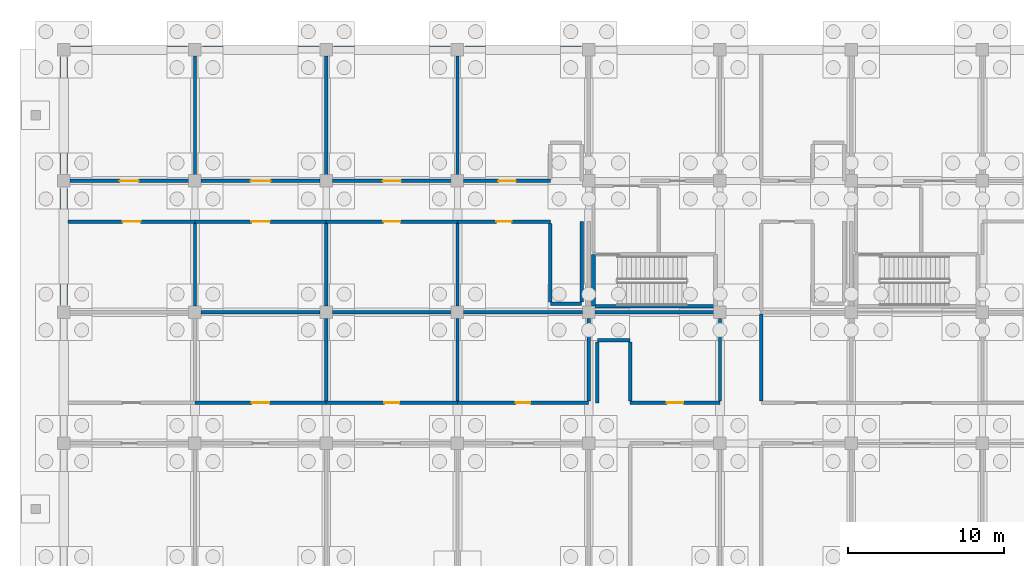
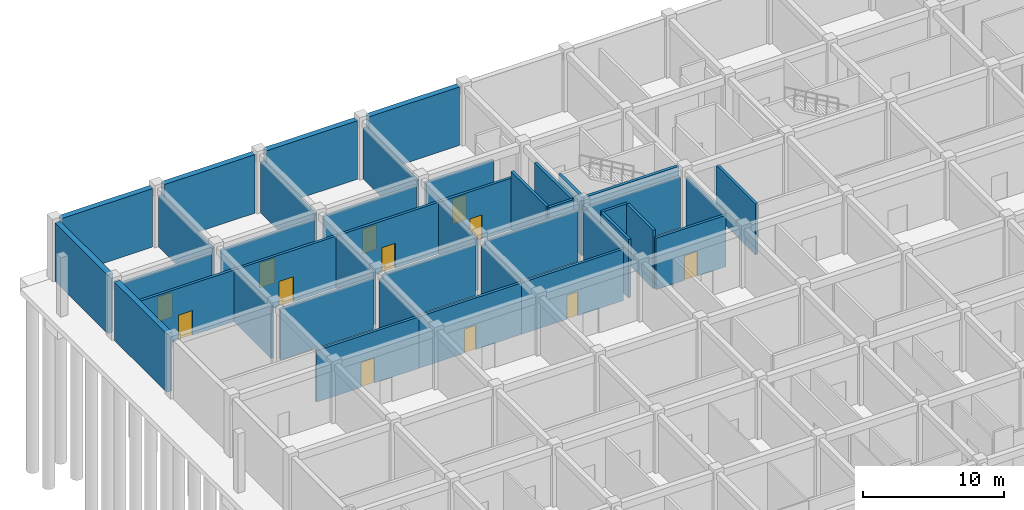
# One storey, part 39 of 65: 41 walls, 12 doors, 12 openings.
"""IFC4 building model written with IfcOpenShell, lengths in metres."""

from ifc_helpers import new_model, si_unit, direction, frame, frame_2d, origin, place, context, subcontext, project, spatial, rectangle, extrude, material, layer, layer_set, type_object, element, fill, save


model = new_model("IFC4")

# Units and contexts
model_context = context("Model", 3, precision=1e-05, world=origin(), true_north=direction((0.0, 1.0)))
body_context = subcontext(model_context, "Body", "Model", "MODEL_VIEW")
ifc_project = project(units=[si_unit("LENGTHUNIT", "METRE"), si_unit("AREAUNIT", "SQUARE_METRE"), si_unit("VOLUMEUNIT", "CUBIC_METRE"), si_unit("PLANEANGLEUNIT", "RADIAN"), si_unit("MASSUNIT", "GRAM", prefix="KILO")], contexts=[model_context])

# Site, building, storey
site_placement = place(None, origin())
site = spatial("IfcSite", under=ifc_project, at=site_placement, CompositionType="ELEMENT")
building_placement = place(site_placement, origin())
building = spatial("IfcBuilding", under=site, at=building_placement, Name="Bramfleet General Hospital", CompositionType="ELEMENT")
storey_placement = place(building_placement, frame((0.0, 0.0, -5.39990234375)))
storey = spatial("IfcBuildingStorey", under=building, at=storey_placement, Name="B1", CompositionType="ELEMENT", Elevation=-5.39990234375)

# Walls
ifc_material_1 = material(Name="Concrete C35/45", Category="concrete")
ifc_layer_1 = layer(ifc_material_1, 0.449951171875, Name="WT-EW-01")
ifc_layer_set_1 = layer_set([ifc_layer_1], Name="Concrete C35/45")
wall_type_1 = type_object("IfcWallType", Name="WT-EW-01", PredefinedType="SOLIDWALL", material=ifc_layer_set_1)
wall_1_placement = place(storey_placement, frame((0.0, 101.27490234375, 0.0), z_axis=(0.0, 0.0, 1.0), x_axis=(0.0, 1.0, 0.0)))
element("IfcWall", 1, at=wall_1_placement, inside=storey, type_object=wall_type_1, Name="B1 Waterproof Retaining Wall 6", PredefinedType="SOLIDWALL", context=body_context, shape_type="SweptSolid", body=[
    extrude(rectangle(XDim=7.4501953125, YDim=0.449951171875, at=frame_2d((3.72509765625, 0.0))), origin(), (0.0, 0.0, 1.0), 5.079833984375),
])
for number, where, z_axis, x_axis, name in (
    (2, (0.0, 109.675048828125, 0.0), (0.0, 0.0, 1.0), (0.0, 1.0, 0.0), "B1 Waterproof Retaining Wall 7"),
    (3, (0.47509765625, 117.60009765625, 0.0), (0.0, 0.0, 1.0), (1.0, 0.0, 0.0), "B1 Waterproof Retaining Wall 8"),
    (4, (8.875, 117.60009765625, 0.0), (0.0, 0.0, 1.0), (1.0, 0.0, 0.0), "B1 Waterproof Retaining Wall 9"),
):
    element("IfcWall", number, at=place(storey_placement, frame(where, z_axis=z_axis, x_axis=x_axis)), inside=storey, type_object=wall_type_1, Name=name, PredefinedType="SOLIDWALL", context=body_context, shape_type="SweptSolid", body=[
        extrude(rectangle(XDim=7.449951171875, YDim=0.449951171875, at=frame_2d((3.72509765625, 0.0))), origin(), (0.0, 0.0, 1.0), 5.079833984375),
    ])
wall_2_placement = place(storey_placement, frame((17.27490234375, 117.60009765625, 0.0), z_axis=(0.0, 0.0, 1.0), x_axis=(1.0, 0.0, 0.0)))
element("IfcWall", 5, at=wall_2_placement, inside=storey, type_object=wall_type_1, Name="B1 Waterproof Retaining Wall 10", PredefinedType="SOLIDWALL", context=body_context, shape_type="SweptSolid", body=[
    extrude(rectangle(XDim=7.4501953125, YDim=0.449951171875, at=frame_2d((3.72509765625, 0.0))), origin(), (0.0, 0.0, 1.0), 5.079833984375),
])
wall_3_placement = place(storey_placement, frame((25.675048828125, 117.60009765625, 0.0), z_axis=(0.0, 0.0, 1.0), x_axis=(1.0, 0.0, 0.0)))
element("IfcWall", 6, at=wall_3_placement, inside=storey, type_object=wall_type_1, Name="B1 Waterproof Retaining Wall 11", PredefinedType="SOLIDWALL", context=body_context, shape_type="SweptSolid", body=[
    extrude(rectangle(XDim=7.449951171875, YDim=0.449951171875, at=frame_2d((3.72509765625, 0.0))), origin(), (0.0, 0.0, 1.0), 5.079833984375),
])

# Wall, opening, door
ifc_layer_2 = layer(ifc_material_1, 0.219970703125, Name="WT-IW-01")
ifc_layer_set_2 = layer_set([ifc_layer_2], Name="Concrete C35/45")
wall_type_2 = type_object("IfcWallType", Name="WT-IW-01", PredefinedType="PARTITIONING", material=ifc_layer_set_2)
wall_4_placement = place(storey_placement, frame((8.39990234375, 95.0, 0.0), z_axis=(0.0, 0.0, 1.0), x_axis=(1.0, 0.0, 0.0)))
wall_4 = element("IfcWall", 7, at=wall_4_placement, inside=storey, type_object=wall_type_2, Name="B1 Interior Partition IW-B1-0274", PredefinedType="PARTITIONING", context=body_context, shape_type="SweptSolid", body=[
    extrude(rectangle(XDim=8.400146484375, YDim=0.219970703125, at=frame_2d((4.2001953125, 0.0))), origin(), (0.0, 0.0, 1.0), 4.469970703125),
])
opening_1_placement = place(wall_4_placement, frame((3.639892578125, 0.0, 0.0)))
opening_1 = element("IfcOpeningElement", 8, at=opening_1_placement, cuts=wall_4, Name="Opening D0219", PredefinedType="OPENING", context=body_context, shape_type="SweptSolid", body=[
    extrude(rectangle(XDim=1.1201171875, YDim=2.179931640625, at=frame_2d((0.56005859375, 1.08984375))), frame((0.0, 0.119873046875, 0.0), z_axis=(0.0, -1.0, 0.0), x_axis=(1.0, 0.0, 0.0)), (0.0, 0.0, 1.0), 0.239990234375),
])
ifc_material_2 = material(Name="Stainless steel and acoustic timber leaf", Category="steel")
door_type_1 = type_object("IfcDoorType", Name="DR-D-27", OperationType="NOTDEFINED", PredefinedType="DOOR", material=ifc_material_2)
door_1_placement = place(opening_1_placement, origin())
door_1 = element("IfcDoor", 9, at=door_1_placement, inside=storey, type_object=door_type_1, Name="Chiller and District Heating Plant B1-0111 Door D0219", OperationType="SINGLE_SWING_RIGHT", OverallHeight=2.179931640625, OverallWidth=1.1201171875, PredefinedType="DOOR", context=body_context, shape_type="SweptSolid", body=[
    extrude(rectangle(XDim=1.1201171875, YDim=2.179931640625, at=frame_2d((0.56005859375, 1.08984375))), frame((0.0, 0.02490234375, 0.0), z_axis=(0.0, -1.0, 0.0), x_axis=(1.0, 0.0, 0.0)), (0.0, 0.0, 1.0), 0.050048828125),
])
fill(opening_1, door_1)

wall_5_placement = place(storey_placement, frame((16.800048828125, 95.0, 0.0), z_axis=(0.0, 0.0, 1.0), x_axis=(1.0, 0.0, 0.0)))
wall_5 = element("IfcWall", 10, at=wall_5_placement, inside=storey, type_object=wall_type_2, Name="B1 Interior Partition IW-B1-0275", PredefinedType="PARTITIONING", context=body_context, shape_type="SweptSolid", body=[
    extrude(rectangle(XDim=8.39990234375, YDim=0.219970703125, at=frame_2d((4.199951171875, 0.0))), origin(), (0.0, 0.0, 1.0), 4.469970703125),
])
opening_2_placement = place(wall_5_placement, frame((3.72509765625, 0.0, 0.0)))
opening_2 = element("IfcOpeningElement", 11, at=opening_2_placement, cuts=wall_5, Name="Opening D0234", PredefinedType="OPENING", context=body_context, shape_type="SweptSolid", body=[
    extrude(rectangle(XDim=0.949951171875, YDim=2.10009765625, at=frame_2d((0.47509765625, 1.050048828125))), frame((0.0, 0.119873046875, 0.0), z_axis=(0.0, -1.0, 0.0), x_axis=(1.0, 0.0, 0.0)), (0.0, 0.0, 1.0), 0.239990234375),
])
door_type_2 = type_object("IfcDoorType", Name="DR-D-10", OperationType="NOTDEFINED", PredefinedType="DOOR", material=ifc_material_2)
door_2_placement = place(opening_2_placement, origin())
door_2 = element("IfcDoor", 12, at=door_2_placement, inside=storey, type_object=door_type_2, Name="Chiller and District Heating Plant B1-0211 Door D0234", OperationType="SINGLE_SWING_LEFT", OverallHeight=2.10009765625, OverallWidth=0.949951171875, PredefinedType="DOOR", context=body_context, shape_type="SweptSolid", body=[
    extrude(rectangle(XDim=0.949951171875, YDim=2.10009765625, at=frame_2d((0.47509765625, 1.050048828125))), frame((0.0, 0.02490234375, 0.0), z_axis=(0.0, -1.0, 0.0), x_axis=(1.0, 0.0, 0.0)), (0.0, 0.0, 1.0), 0.050048828125),
])
fill(opening_2, door_2)

wall_6_placement = place(storey_placement, frame((25.199951171875, 95.0, 0.0), z_axis=(0.0, 0.0, 1.0), x_axis=(1.0, 0.0, 0.0)))
wall_6 = element("IfcWall", 13, at=wall_6_placement, inside=storey, type_object=wall_type_2, Name="B1 Interior Partition IW-B1-0276", PredefinedType="PARTITIONING", context=body_context, shape_type="SweptSolid", body=[
    extrude(rectangle(XDim=8.400146484375, YDim=0.219970703125, at=frame_2d((4.2001953125, 0.0))), origin(), (0.0, 0.0, 1.0), 4.469970703125),
])
opening_3_placement = place(wall_6_placement, frame((3.739990234375, 0.0, 0.0)))
opening_3 = element("IfcOpeningElement", 14, at=opening_3_placement, cuts=wall_6, Name="Opening D0249", PredefinedType="OPENING", context=body_context, shape_type="SweptSolid", body=[
    extrude(rectangle(XDim=0.919921875, YDim=2.080078125, at=frame_2d((0.4599609375, 1.0400390625))), frame((0.0, 0.119873046875, 0.0), z_axis=(0.0, -1.0, 0.0), x_axis=(1.0, 0.0, 0.0)), (0.0, 0.0, 1.0), 0.239990234375),
])
door_type_3 = type_object("IfcDoorType", Name="DR-D-25", OperationType="NOTDEFINED", PredefinedType="DOOR", material=ifc_material_2)
door_3_placement = place(opening_3_placement, origin())
door_3 = element("IfcDoor", 15, at=door_3_placement, inside=storey, type_object=door_type_3, Name="Chiller and District Heating Plant B1-0311 Door D0249", OperationType="SINGLE_SWING_RIGHT", OverallHeight=2.080078125, OverallWidth=0.919921875, PredefinedType="DOOR", context=body_context, shape_type="SweptSolid", body=[
    extrude(rectangle(XDim=0.919921875, YDim=2.080078125, at=frame_2d((0.4599609375, 1.0400390625))), frame((0.0, 0.02490234375, 0.0), z_axis=(0.0, -1.0, 0.0), x_axis=(1.0, 0.0, 0.0)), (0.0, 0.0, 1.0), 0.050048828125),
])
fill(opening_3, door_3)

wall_7_placement = place(storey_placement, frame((36.25, 95.0, 0.0), z_axis=(0.0, 0.0, 1.0), x_axis=(1.0, 0.0, 0.0)))
wall_7 = element("IfcWall", 16, at=wall_7_placement, inside=storey, type_object=wall_type_2, Name="B1 Interior Partition IW-B1-0277", PredefinedType="PARTITIONING", context=body_context, shape_type="SweptSolid", body=[
    extrude(rectangle(XDim=5.75, YDim=0.219970703125, at=frame_2d((2.875, 0.0))), origin(), (0.0, 0.0, 1.0), 4.469970703125),
])
opening_4_placement = place(wall_7_placement, frame((2.35009765625, 0.0, 0.0)))
opening_4 = element("IfcOpeningElement", 17, at=opening_4_placement, cuts=wall_7, Name="Opening D0265", PredefinedType="OPENING", context=body_context, shape_type="SweptSolid", body=[
    extrude(rectangle(XDim=1.050048828125, YDim=2.14990234375, at=frame_2d((0.52490234375, 1.074951171875))), frame((0.0, 0.119873046875, 0.0), z_axis=(0.0, -1.0, 0.0), x_axis=(1.0, 0.0, 0.0)), (0.0, 0.0, 1.0), 0.239990234375),
])
door_type_4 = type_object("IfcDoorType", Name="DR-D-09", OperationType="NOTDEFINED", PredefinedType="DOOR", material=ifc_material_2)
door_4_placement = place(opening_4_placement, origin())
door_4 = element("IfcDoor", 18, at=door_4_placement, inside=storey, type_object=door_type_4, Name="Chiller and District Heating Plant B1-0411 Door D0265", OperationType="SINGLE_SWING_RIGHT", OverallHeight=2.14990234375, OverallWidth=1.050048828125, PredefinedType="DOOR", context=body_context, shape_type="SweptSolid", body=[
    extrude(rectangle(XDim=1.050048828125, YDim=2.14990234375, at=frame_2d((0.52490234375, 1.074951171875))), frame((0.0, 0.02490234375, 0.0), z_axis=(0.0, -1.0, 0.0), x_axis=(1.0, 0.0, 0.0)), (0.0, 0.0, 1.0), 0.050048828125),
])
fill(opening_4, door_4)

# Walls
wall_8_placement = place(storey_placement, frame((34.14990234375, 99.0, 0.0), z_axis=(0.0, 0.0, 1.0), x_axis=(1.0, 0.0, 0.0)))
element("IfcWall", 19, at=wall_8_placement, inside=storey, type_object=wall_type_2, Name="B1 Interior Partition IW-B1-0281", PredefinedType="PARTITIONING", context=body_context, shape_type="SweptSolid", body=[
    extrude(rectangle(XDim=2.10009765625, YDim=0.219970703125, at=frame_2d((1.050048828125, 0.0))), origin(), (0.0, 0.0, 1.0), 5.06982421875),
])
wall_9_placement = place(storey_placement, frame((8.794921875, 100.800048828125, 0.0), z_axis=(0.0, 0.0, 1.0), x_axis=(1.0, 0.0, 0.0)))
element("IfcWall", 20, at=wall_9_placement, inside=storey, type_object=wall_type_2, Name="B1 Interior Partition IW-B1-0283", PredefinedType="PARTITIONING", context=body_context, shape_type="SweptSolid", body=[
    extrude(rectangle(XDim=7.610107421875, YDim=0.219970703125, at=frame_2d((3.80517578125, 0.0))), origin(), (0.0, 0.0, 1.0), 4.419921875),
])
wall_10_placement = place(storey_placement, frame((17.195068359375, 100.800048828125, 0.0), z_axis=(0.0, 0.0, 1.0), x_axis=(1.0, 0.0, 0.0)))
element("IfcWall", 21, at=wall_10_placement, inside=storey, type_object=wall_type_2, Name="B1 Interior Partition IW-B1-0284", PredefinedType="PARTITIONING", context=body_context, shape_type="SweptSolid", body=[
    extrude(rectangle(XDim=7.60986328125, YDim=0.219970703125, at=frame_2d((3.804931640625, 0.0))), origin(), (0.0, 0.0, 1.0), 4.419921875),
])
wall_11_placement = place(storey_placement, frame((25.594970703125, 100.800048828125, 0.0), z_axis=(0.0, 0.0, 1.0), x_axis=(1.0, 0.0, 0.0)))
element("IfcWall", 22, at=wall_11_placement, inside=storey, type_object=wall_type_2, Name="B1 Interior Partition IW-B1-0285", PredefinedType="PARTITIONING", context=body_context, shape_type="SweptSolid", body=[
    extrude(rectangle(XDim=7.610107421875, YDim=0.219970703125, at=frame_2d((3.80517578125, 0.0))), origin(), (0.0, 0.0, 1.0), 4.419921875),
])
wall_12_placement = place(storey_placement, frame((33.9951171875, 100.800048828125, 0.0), z_axis=(0.0, 0.0, 1.0), x_axis=(1.0, 0.0, 0.0)))
element("IfcWall", 23, at=wall_12_placement, inside=storey, type_object=wall_type_2, Name="B1 Interior Partition IW-B1-0286", PredefinedType="PARTITIONING", context=body_context, shape_type="SweptSolid", body=[
    extrude(rectangle(XDim=7.60986328125, YDim=0.219970703125, at=frame_2d((3.804931640625, 0.0))), origin(), (0.0, 0.0, 1.0), 4.419921875),
])
wall_13_placement = place(storey_placement, frame((31.14990234375, 101.35009765625, 0.0), z_axis=(0.0, 0.0, 1.0), x_axis=(1.0, 0.0, 0.0)))
element("IfcWall", 24, at=wall_13_placement, inside=storey, type_object=wall_type_2, Name="B1 Interior Partition IW-B1-0295", PredefinedType="PARTITIONING", context=body_context, shape_type="SweptSolid", body=[
    extrude(rectangle(XDim=2.0, YDim=0.219970703125, at=frame_2d((1.0, 0.0))), origin(), (0.0, 0.0, 1.0), 5.06982421875),
])

# Wall, opening, door
wall_14_placement = place(storey_placement, frame((0.280029296875, 106.60009765625, 0.0), z_axis=(0.0, 0.0, 1.0), x_axis=(1.0, 0.0, 0.0)))
wall_14 = element("IfcWall", 25, at=wall_14_placement, inside=storey, type_object=wall_type_2, Name="B1 Interior Partition IW-B1-0298", PredefinedType="PARTITIONING", context=body_context, shape_type="SweptSolid", body=[
    extrude(rectangle(XDim=8.119873046875, YDim=0.219970703125, at=frame_2d((4.06005859375, 0.0))), origin(), (0.0, 0.0, 1.0), 4.469970703125),
])
opening_5_placement = place(wall_14_placement, frame((3.485107421875, 0.0, 0.0)))
opening_5 = element("IfcOpeningElement", 26, at=opening_5_placement, cuts=wall_14, Name="Opening D0204", PredefinedType="OPENING", context=body_context, shape_type="SweptSolid", body=[
    extrude(rectangle(XDim=1.14990234375, YDim=2.14990234375, at=frame_2d((0.574951171875, 1.074951171875))), frame((0.0, 0.119873046875, 0.0), z_axis=(0.0, -1.0, 0.0), x_axis=(1.0, 0.0, 0.0)), (0.0, 0.0, 1.0), 0.239990234375),
])
door_type_5 = type_object("IfcDoorType", Name="DR-D-12", OperationType="NOTDEFINED", PredefinedType="DOOR", material=ifc_material_2)
door_5_placement = place(opening_5_placement, origin())
door_5 = element("IfcDoor", 27, at=door_5_placement, inside=storey, type_object=door_type_5, Name="Chiller and District Heating Plant B1-0012 Door D0204", OperationType="SINGLE_SWING_LEFT", OverallHeight=2.14990234375, OverallWidth=1.14990234375, PredefinedType="DOOR", context=body_context, shape_type="SweptSolid", body=[
    extrude(rectangle(XDim=1.14990234375, YDim=2.14990234375, at=frame_2d((0.574951171875, 1.074951171875))), frame((0.0, 0.02490234375, 0.0), z_axis=(0.0, -1.0, 0.0), x_axis=(1.0, 0.0, 0.0)), (0.0, 0.0, 1.0), 0.050048828125),
])
fill(opening_5, door_5)

wall_15_placement = place(storey_placement, frame((8.39990234375, 106.60009765625, 0.0), z_axis=(0.0, 0.0, 1.0), x_axis=(1.0, 0.0, 0.0)))
wall_15 = element("IfcWall", 28, at=wall_15_placement, inside=storey, type_object=wall_type_2, Name="B1 Interior Partition IW-B1-0299", PredefinedType="PARTITIONING", context=body_context, shape_type="SweptSolid", body=[
    extrude(rectangle(XDim=8.400146484375, YDim=0.219970703125, at=frame_2d((4.2001953125, 0.0))), origin(), (0.0, 0.0, 1.0), 4.469970703125),
])
opening_6_placement = place(wall_15_placement, frame((3.610107421875, 0.0, 0.0)))
opening_6 = element("IfcOpeningElement", 29, at=opening_6_placement, cuts=wall_15, Name="Opening D0220", PredefinedType="OPENING", context=body_context, shape_type="SweptSolid", body=[
    extrude(rectangle(XDim=1.179931640625, YDim=2.179931640625, at=frame_2d((0.58984375, 1.08984375))), frame((0.0, 0.119873046875, 0.0), z_axis=(0.0, -1.0, 0.0), x_axis=(1.0, 0.0, 0.0)), (0.0, 0.0, 1.0), 0.239990234375),
])
door_type_6 = type_object("IfcDoorType", Name="DR-D-28", OperationType="NOTDEFINED", PredefinedType="DOOR", material=ifc_material_2)
door_6_placement = place(opening_6_placement, origin())
door_6 = element("IfcDoor", 30, at=door_6_placement, inside=storey, type_object=door_type_6, Name="Chiller and District Heating Plant B1-0112 Door D0220", OperationType="SINGLE_SWING_LEFT", OverallHeight=2.179931640625, OverallWidth=1.179931640625, PredefinedType="DOOR", context=body_context, shape_type="SweptSolid", body=[
    extrude(rectangle(XDim=1.179931640625, YDim=2.179931640625, at=frame_2d((0.58984375, 1.08984375))), frame((0.0, 0.02490234375, 0.0), z_axis=(0.0, -1.0, 0.0), x_axis=(1.0, 0.0, 0.0)), (0.0, 0.0, 1.0), 0.050048828125),
])
fill(opening_6, door_6)

wall_16_placement = place(storey_placement, frame((16.800048828125, 106.60009765625, 0.0), z_axis=(0.0, 0.0, 1.0), x_axis=(1.0, 0.0, 0.0)))
wall_16 = element("IfcWall", 31, at=wall_16_placement, inside=storey, type_object=wall_type_2, Name="B1 Interior Partition IW-B1-0300", PredefinedType="PARTITIONING", context=body_context, shape_type="SweptSolid", body=[
    extrude(rectangle(XDim=8.39990234375, YDim=0.219970703125, at=frame_2d((4.199951171875, 0.0))), origin(), (0.0, 0.0, 1.0), 4.469970703125),
])
opening_7_placement = place(wall_16_placement, frame((3.64990234375, 0.0, 0.0)))
opening_7 = element("IfcOpeningElement", 32, at=opening_7_placement, cuts=wall_16, Name="Opening D0235", PredefinedType="OPENING", context=body_context, shape_type="SweptSolid", body=[
    extrude(rectangle(XDim=1.10009765625, YDim=2.14990234375, at=frame_2d((0.550048828125, 1.074951171875))), frame((0.0, 0.119873046875, 0.0), z_axis=(0.0, -1.0, 0.0), x_axis=(1.0, 0.0, 0.0)), (0.0, 0.0, 1.0), 0.239990234375),
])
door_type_7 = type_object("IfcDoorType", Name="DR-D-11", OperationType="NOTDEFINED", PredefinedType="DOOR", material=ifc_material_2)
door_7_placement = place(opening_7_placement, origin())
door_7 = element("IfcDoor", 33, at=door_7_placement, inside=storey, type_object=door_type_7, Name="Chiller and District Heating Plant B1-0212 Door D0235", OperationType="SINGLE_SWING_RIGHT", OverallHeight=2.14990234375, OverallWidth=1.10009765625, PredefinedType="DOOR", context=body_context, shape_type="SweptSolid", body=[
    extrude(rectangle(XDim=1.10009765625, YDim=2.14990234375, at=frame_2d((0.550048828125, 1.074951171875))), frame((0.0, 0.02490234375, 0.0), z_axis=(0.0, -1.0, 0.0), x_axis=(1.0, 0.0, 0.0)), (0.0, 0.0, 1.0), 0.050048828125),
])
fill(opening_7, door_7)

wall_17_placement = place(storey_placement, frame((25.199951171875, 106.60009765625, 0.0), z_axis=(0.0, 0.0, 1.0), x_axis=(1.0, 0.0, 0.0)))
wall_17 = element("IfcWall", 34, at=wall_17_placement, inside=storey, type_object=wall_type_2, Name="B1 Interior Partition IW-B1-0301", PredefinedType="PARTITIONING", context=body_context, shape_type="SweptSolid", body=[
    extrude(rectangle(XDim=5.949951171875, YDim=0.219970703125, at=frame_2d((2.97509765625, 0.0))), origin(), (0.0, 0.0, 1.0), 4.469970703125),
])
opening_8_placement = place(wall_17_placement, frame((2.485107421875, 0.0, 0.0)))
opening_8 = element("IfcOpeningElement", 35, at=opening_8_placement, cuts=wall_17, Name="Opening D0250", PredefinedType="OPENING", context=body_context, shape_type="SweptSolid", body=[
    extrude(rectangle(XDim=0.97998046875, YDim=2.1201171875, at=frame_2d((0.489990234375, 1.06005859375))), frame((0.0, 0.119873046875, 0.0), z_axis=(0.0, -1.0, 0.0), x_axis=(1.0, 0.0, 0.0)), (0.0, 0.0, 1.0), 0.239990234375),
])
door_type_8 = type_object("IfcDoorType", Name="DR-D-26", OperationType="NOTDEFINED", PredefinedType="DOOR", material=ifc_material_2)
door_8_placement = place(opening_8_placement, origin())
door_8 = element("IfcDoor", 36, at=door_8_placement, inside=storey, type_object=door_type_8, Name="Chiller and District Heating Plant B1-0312 Door D0250", OperationType="SINGLE_SWING_LEFT", OverallHeight=2.1201171875, OverallWidth=0.97998046875, PredefinedType="DOOR", context=body_context, shape_type="SweptSolid", body=[
    extrude(rectangle(XDim=0.97998046875, YDim=2.1201171875, at=frame_2d((0.489990234375, 1.06005859375))), frame((0.0, 0.02490234375, 0.0), z_axis=(0.0, -1.0, 0.0), x_axis=(1.0, 0.0, 0.0)), (0.0, 0.0, 1.0), 0.050048828125),
])
fill(opening_8, door_8)

wall_18_placement = place(storey_placement, frame((0.39501953125, 109.199951171875, 0.0), z_axis=(0.0, 0.0, 1.0), x_axis=(1.0, 0.0, 0.0)))
wall_18 = element("IfcWall", 37, at=wall_18_placement, inside=storey, type_object=wall_type_2, Name="B1 Interior Partition IW-B1-0309", PredefinedType="PARTITIONING", context=body_context, shape_type="SweptSolid", body=[
    extrude(rectangle(XDim=7.60986328125, YDim=0.219970703125, at=frame_2d((3.804931640625, 0.0))), origin(), (0.0, 0.0, 1.0), 4.419921875),
])
opening_9_placement = place(wall_18_placement, frame((3.205078125, 0.0, 0.0)))
opening_9 = element("IfcOpeningElement", 38, at=opening_9_placement, cuts=wall_18, Name="Opening D0205", PredefinedType="OPENING", context=body_context, shape_type="SweptSolid", body=[
    extrude(rectangle(XDim=1.199951171875, YDim=2.14990234375, at=frame_2d((0.60009765625, 1.074951171875))), frame((0.0, 0.119873046875, 0.0), z_axis=(0.0, -1.0, 0.0), x_axis=(1.0, 0.0, 0.0)), (0.0, 0.0, 1.0), 0.239990234375),
])
door_type_9 = type_object("IfcDoorType", Name="DR-D-13", OperationType="NOTDEFINED", PredefinedType="DOOR", material=ifc_material_2)
door_9_placement = place(opening_9_placement, origin())
door_9 = element("IfcDoor", 39, at=door_9_placement, inside=storey, type_object=door_type_9, Name="Chiller and District Heating Plant B1-0013 Door D0205", OperationType="SINGLE_SWING_RIGHT", OverallHeight=2.14990234375, OverallWidth=1.199951171875, PredefinedType="DOOR", context=body_context, shape_type="SweptSolid", body=[
    extrude(rectangle(XDim=1.199951171875, YDim=2.14990234375, at=frame_2d((0.60009765625, 1.074951171875))), frame((0.0, 0.02490234375, 0.0), z_axis=(0.0, -1.0, 0.0), x_axis=(1.0, 0.0, 0.0)), (0.0, 0.0, 1.0), 0.050048828125),
])
fill(opening_9, door_9)

wall_19_placement = place(storey_placement, frame((8.794921875, 109.199951171875, 0.0), z_axis=(0.0, 0.0, 1.0), x_axis=(1.0, 0.0, 0.0)))
wall_19 = element("IfcWall", 40, at=wall_19_placement, inside=storey, type_object=wall_type_2, Name="B1 Interior Partition IW-B1-0310", PredefinedType="PARTITIONING", context=body_context, shape_type="SweptSolid", body=[
    extrude(rectangle(XDim=7.610107421875, YDim=0.219970703125, at=frame_2d((3.80517578125, 0.0))), origin(), (0.0, 0.0, 1.0), 4.419921875),
])
opening_10_placement = place(wall_19_placement, frame((3.1650390625, 0.0, 0.0)))
opening_10 = element("IfcOpeningElement", 41, at=opening_10_placement, cuts=wall_19, Name="Opening D0221", PredefinedType="OPENING", context=body_context, shape_type="SweptSolid", body=[
    extrude(rectangle(XDim=1.280029296875, YDim=2.179931640625, at=frame_2d((0.64013671875, 1.08984375))), frame((0.0, 0.119873046875, 0.0), z_axis=(0.0, -1.0, 0.0), x_axis=(1.0, 0.0, 0.0)), (0.0, 0.0, 1.0), 0.239990234375),
])
door_type_10 = type_object("IfcDoorType", Name="DR-D-29", OperationType="NOTDEFINED", PredefinedType="DOOR", material=ifc_material_2)
door_10_placement = place(opening_10_placement, origin())
door_10 = element("IfcDoor", 42, at=door_10_placement, inside=storey, type_object=door_type_10, Name="Chiller and District Heating Plant B1-0113 Door D0221", OperationType="SINGLE_SWING_RIGHT", OverallHeight=2.179931640625, OverallWidth=1.280029296875, PredefinedType="DOOR", context=body_context, shape_type="SweptSolid", body=[
    extrude(rectangle(XDim=1.280029296875, YDim=2.179931640625, at=frame_2d((0.64013671875, 1.08984375))), frame((0.0, 0.02490234375, 0.0), z_axis=(0.0, -1.0, 0.0), x_axis=(1.0, 0.0, 0.0)), (0.0, 0.0, 1.0), 0.050048828125),
])
fill(opening_10, door_10)

wall_20_placement = place(storey_placement, frame((17.195068359375, 109.199951171875, 0.0), z_axis=(0.0, 0.0, 1.0), x_axis=(1.0, 0.0, 0.0)))
wall_20 = element("IfcWall", 43, at=wall_20_placement, inside=storey, type_object=wall_type_2, Name="B1 Interior Partition IW-B1-0311", PredefinedType="PARTITIONING", context=body_context, shape_type="SweptSolid", body=[
    extrude(rectangle(XDim=7.60986328125, YDim=0.219970703125, at=frame_2d((3.804931640625, 0.0))), origin(), (0.0, 0.0, 1.0), 4.419921875),
])
opening_11_placement = place(wall_20_placement, frame((3.22998046875, 0.0, 0.0)))
opening_11 = element("IfcOpeningElement", 44, at=opening_11_placement, cuts=wall_20, Name="Opening D0236", PredefinedType="OPENING", context=body_context, shape_type="SweptSolid", body=[
    extrude(rectangle(XDim=1.14990234375, YDim=2.14990234375, at=frame_2d((0.574951171875, 1.074951171875))), frame((0.0, 0.119873046875, 0.0), z_axis=(0.0, -1.0, 0.0), x_axis=(1.0, 0.0, 0.0)), (0.0, 0.0, 1.0), 0.239990234375),
])
door_11_placement = place(opening_11_placement, origin())
door_11 = element("IfcDoor", 45, at=door_11_placement, inside=storey, type_object=door_type_5, Name="Chiller and District Heating Plant B1-0213 Door D0236", OperationType="SINGLE_SWING_LEFT", OverallHeight=2.14990234375, OverallWidth=1.14990234375, PredefinedType="DOOR", context=body_context, shape_type="SweptSolid", body=[
    extrude(rectangle(XDim=1.14990234375, YDim=2.14990234375, at=frame_2d((0.574951171875, 1.074951171875))), frame((0.0, 0.02490234375, 0.0), z_axis=(0.0, -1.0, 0.0), x_axis=(1.0, 0.0, 0.0)), (0.0, 0.0, 1.0), 0.050048828125),
])
fill(opening_11, door_11)

wall_21_placement = place(storey_placement, frame((25.594970703125, 109.199951171875, 0.0), z_axis=(0.0, 0.0, 1.0), x_axis=(1.0, 0.0, 0.0)))
wall_21 = element("IfcWall", 46, at=wall_21_placement, inside=storey, type_object=wall_type_2, Name="B1 Interior Partition IW-B1-0312", PredefinedType="PARTITIONING", context=body_context, shape_type="SweptSolid", body=[
    extrude(rectangle(XDim=5.554931640625, YDim=0.219970703125, at=frame_2d((2.77734375, 0.0))), origin(), (0.0, 0.0, 1.0), 4.419921875),
])
opening_12_placement = place(wall_21_placement, frame((2.217529296875, 0.0, 0.0)))
opening_12 = element("IfcOpeningElement", 47, at=opening_12_placement, cuts=wall_21, Name="Opening D0251", PredefinedType="OPENING", context=body_context, shape_type="SweptSolid", body=[
    extrude(rectangle(XDim=1.1201171875, YDim=2.179931640625, at=frame_2d((0.56005859375, 1.08984375))), frame((0.0, 0.119873046875, 0.0), z_axis=(0.0, -1.0, 0.0), x_axis=(1.0, 0.0, 0.0)), (0.0, 0.0, 1.0), 0.239990234375),
])
door_12_placement = place(opening_12_placement, origin())
door_12 = element("IfcDoor", 48, at=door_12_placement, inside=storey, type_object=door_type_1, Name="Chiller and District Heating Plant B1-0313 Door D0251", OperationType="SINGLE_SWING_RIGHT", OverallHeight=2.179931640625, OverallWidth=1.1201171875, PredefinedType="DOOR", context=body_context, shape_type="SweptSolid", body=[
    extrude(rectangle(XDim=1.1201171875, YDim=2.179931640625, at=frame_2d((0.56005859375, 1.08984375))), frame((0.0, 0.02490234375, 0.0), z_axis=(0.0, -1.0, 0.0), x_axis=(1.0, 0.0, 0.0)), (0.0, 0.0, 1.0), 0.050048828125),
])
fill(opening_12, door_12)

# Walls
wall_22_placement = place(storey_placement, frame((8.39990234375, 101.195068359375, 0.0), z_axis=(0.0, 0.0, 1.0), x_axis=(0.0, 1.0, 0.0)))
element("IfcWall", 49, at=wall_22_placement, inside=storey, type_object=wall_type_2, Name="B1 Interior Partition IW-B1-0341", PredefinedType="PARTITIONING", context=body_context, shape_type="SweptSolid", body=[
    extrude(rectangle(XDim=5.2900390625, YDim=0.219970703125, at=frame_2d((2.64501953125, 0.0))), origin(), (0.0, 0.0, 1.0), 4.469970703125),
])
wall_23_placement = place(storey_placement, frame((8.39990234375, 109.594970703125, 0.0), z_axis=(0.0, 0.0, 1.0), x_axis=(0.0, 1.0, 0.0)))
element("IfcWall", 50, at=wall_23_placement, inside=storey, type_object=wall_type_2, Name="B1 Interior Partition IW-B1-0342", PredefinedType="PARTITIONING", context=body_context, shape_type="SweptSolid", body=[
    extrude(rectangle(XDim=7.610107421875, YDim=0.219970703125, at=frame_2d((3.80517578125, 0.0))), origin(), (0.0, 0.0, 1.0), 4.469970703125),
])
for number, where, z_axis, x_axis, name in (
    (51, (16.800048828125, 95.114990234375, 0.0), (0.0, 0.0, 1.0), (0.0, 1.0, 0.0), "B1 Interior Partition IW-B1-0358"),
    (52, (16.800048828125, 101.195068359375, 0.0), (0.0, 0.0, 1.0), (0.0, 1.0, 0.0), "B1 Interior Partition IW-B1-0359"),
):
    element("IfcWall", number, at=place(storey_placement, frame(where, z_axis=z_axis, x_axis=x_axis)), inside=storey, type_object=wall_type_2, Name=name, PredefinedType="PARTITIONING", context=body_context, shape_type="SweptSolid", body=[
        extrude(rectangle(XDim=5.2900390625, YDim=0.219970703125, at=frame_2d((2.64501953125, 0.0))), origin(), (0.0, 0.0, 1.0), 4.469970703125),
    ])
wall_24_placement = place(storey_placement, frame((16.800048828125, 109.594970703125, 0.0), z_axis=(0.0, 0.0, 1.0), x_axis=(0.0, 1.0, 0.0)))
element("IfcWall", 53, at=wall_24_placement, inside=storey, type_object=wall_type_2, Name="B1 Interior Partition IW-B1-0360", PredefinedType="PARTITIONING", context=body_context, shape_type="SweptSolid", body=[
    extrude(rectangle(XDim=7.610107421875, YDim=0.219970703125, at=frame_2d((3.80517578125, 0.0))), origin(), (0.0, 0.0, 1.0), 4.469970703125),
])
for number, where, z_axis, x_axis, name in (
    (54, (25.199951171875, 95.114990234375, 0.0), (0.0, 0.0, 1.0), (0.0, 1.0, 0.0), "B1 Interior Partition IW-B1-0378"),
    (55, (25.199951171875, 101.195068359375, 0.0), (0.0, 0.0, 1.0), (0.0, 1.0, 0.0), "B1 Interior Partition IW-B1-0379"),
):
    element("IfcWall", number, at=place(storey_placement, frame(where, z_axis=z_axis, x_axis=x_axis)), inside=storey, type_object=wall_type_2, Name=name, PredefinedType="PARTITIONING", context=body_context, shape_type="SweptSolid", body=[
        extrude(rectangle(XDim=5.2900390625, YDim=0.219970703125, at=frame_2d((2.64501953125, 0.0))), origin(), (0.0, 0.0, 1.0), 4.469970703125),
    ])
wall_25_placement = place(storey_placement, frame((25.199951171875, 109.594970703125, 0.0), z_axis=(0.0, 0.0, 1.0), x_axis=(0.0, 1.0, 0.0)))
element("IfcWall", 56, at=wall_25_placement, inside=storey, type_object=wall_type_2, Name="B1 Interior Partition IW-B1-0380", PredefinedType="PARTITIONING", context=body_context, shape_type="SweptSolid", body=[
    extrude(rectangle(XDim=7.610107421875, YDim=0.219970703125, at=frame_2d((3.80517578125, 0.0))), origin(), (0.0, 0.0, 1.0), 4.469970703125),
])
wall_26_placement = place(storey_placement, frame((31.14990234375, 101.465087890625, 0.0), z_axis=(0.0, 0.0, 1.0), x_axis=(0.0, 1.0, 0.0)))
element("IfcWall", 57, at=wall_26_placement, inside=storey, type_object=wall_type_2, Name="B1 Interior Partition IW-B1-0383", PredefinedType="PARTITIONING", context=body_context, shape_type="SweptSolid", body=[
    extrude(rectangle(XDim=5.02001953125, YDim=0.219970703125, at=frame_2d((2.510009765625, 0.0))), origin(), (0.0, 0.0, 1.0), 5.06982421875),
])
wall_27_placement = place(storey_placement, frame((33.14990234375, 101.465087890625, 0.0), z_axis=(0.0, 0.0, 1.0), x_axis=(0.0, 1.0, 0.0)))
element("IfcWall", 58, at=wall_27_placement, inside=storey, type_object=wall_type_2, Name="B1 Interior Partition IW-B1-0385", PredefinedType="PARTITIONING", context=body_context, shape_type="SweptSolid", body=[
    extrude(rectangle(XDim=5.135009765625, YDim=0.219970703125, at=frame_2d((2.5673828125, 0.0))), origin(), (0.0, 0.0, 1.0), 5.06982421875),
])
wall_28_placement = place(storey_placement, frame((33.60009765625, 95.114990234375, 0.0), z_axis=(0.0, 0.0, 1.0), x_axis=(0.0, 1.0, 0.0)))
element("IfcWall", 59, at=wall_28_placement, inside=storey, type_object=wall_type_2, Name="B1 Interior Partition IW-B1-0397", PredefinedType="PARTITIONING", context=body_context, shape_type="SweptSolid", body=[
    extrude(rectangle(XDim=5.2900390625, YDim=0.219970703125, at=frame_2d((2.64501953125, 0.0))), origin(), (0.0, 0.0, 1.0), 4.469970703125),
])
wall_29_placement = place(storey_placement, frame((34.14990234375, 95.0, 0.0), z_axis=(0.0, 0.0, 1.0), x_axis=(0.0, 1.0, 0.0)))
element("IfcWall", 60, at=wall_29_placement, inside=storey, type_object=wall_type_2, Name="B1 Interior Partition IW-B1-0400", PredefinedType="PARTITIONING", context=body_context, shape_type="SweptSolid", body=[
    extrude(rectangle(XDim=3.885009765625, YDim=0.219970703125, at=frame_2d((1.9423828125, 0.0))), origin(), (0.0, 0.0, 1.0), 5.06982421875),
])
wall_30_placement = place(storey_placement, frame((36.25, 95.114990234375, 0.0), z_axis=(0.0, 0.0, 1.0), x_axis=(0.0, 1.0, 0.0)))
element("IfcWall", 61, at=wall_30_placement, inside=storey, type_object=wall_type_2, Name="B1 Interior Partition IW-B1-0412", PredefinedType="PARTITIONING", context=body_context, shape_type="SweptSolid", body=[
    extrude(rectangle(XDim=3.77001953125, YDim=0.219970703125, at=frame_2d((1.885009765625, 0.0))), origin(), (0.0, 0.0, 1.0), 5.06982421875),
])
wall_31_placement = place(storey_placement, frame((42.0, 95.114990234375, 0.0), z_axis=(0.0, 0.0, 1.0), x_axis=(0.0, 1.0, 0.0)))
element("IfcWall", 62, at=wall_31_placement, inside=storey, type_object=wall_type_2, Name="B1 Interior Partition IW-B1-0426", PredefinedType="PARTITIONING", context=body_context, shape_type="SweptSolid", body=[
    extrude(rectangle(XDim=5.2900390625, YDim=0.219970703125, at=frame_2d((2.64501953125, 0.0))), origin(), (0.0, 0.0, 1.0), 4.469970703125),
])
wall_32_placement = place(storey_placement, frame((44.64990234375, 95.114990234375, 0.0), z_axis=(0.0, 0.0, 1.0), x_axis=(0.0, 1.0, 0.0)))
element("IfcWall", 63, at=wall_32_placement, inside=storey, type_object=wall_type_2, Name="B1 Interior Partition IW-B1-0432", PredefinedType="PARTITIONING", context=body_context, shape_type="SweptSolid", body=[
    extrude(rectangle(XDim=5.570068359375, YDim=0.219970703125, at=frame_2d((2.78515625, 0.0))), origin(), (0.0, 0.0, 1.0), 4.419921875),
])
ifc_material_3 = material(Name="Concrete C40/50", Category="concrete")
ifc_layer_3 = layer(ifc_material_3, 0.239990234375, Name="WT-SW-240")
ifc_layer_set_3 = layer_set([ifc_layer_3], Name="Concrete C40/50")
wall_type_3 = type_object("IfcWallType", Name="WT-SW-240", PredefinedType="SHEAR", material=ifc_layer_set_3)
wall_33_placement = place(storey_placement, frame((33.89990234375, 101.179931640625, 0.0), z_axis=(0.0, 0.0, 1.0), x_axis=(1.0, 0.0, 0.0)))
element("IfcWall", 64, at=wall_33_placement, inside=storey, type_object=wall_type_3, Name="B1 C8 South Stair Shear Wall", PredefinedType="SHEAR", context=body_context, shape_type="SweptSolid", body=[
    extrude(rectangle(XDim=7.820068359375, YDim=0.239990234375, at=frame_2d((3.91015625, 0.0))), origin(), (0.0, 0.0, 1.0), 5.079833984375),
])
wall_34_placement = place(storey_placement, frame((33.89990234375, 101.179931640625, 0.0), z_axis=(0.0, 0.0, 1.0), x_axis=(0.0, 1.0, 0.0)))
element("IfcWall", 65, at=wall_34_placement, inside=storey, type_object=wall_type_3, Name="B1 C8 West Stair Shear Wall", PredefinedType="SHEAR", context=body_context, shape_type="SweptSolid", body=[
    extrude(rectangle(XDim=3.320068359375, YDim=0.239990234375, at=frame_2d((1.66015625, 0.0))), origin(), (0.0, 0.0, 1.0), 5.079833984375),
])

save(model, "model.ifc")
